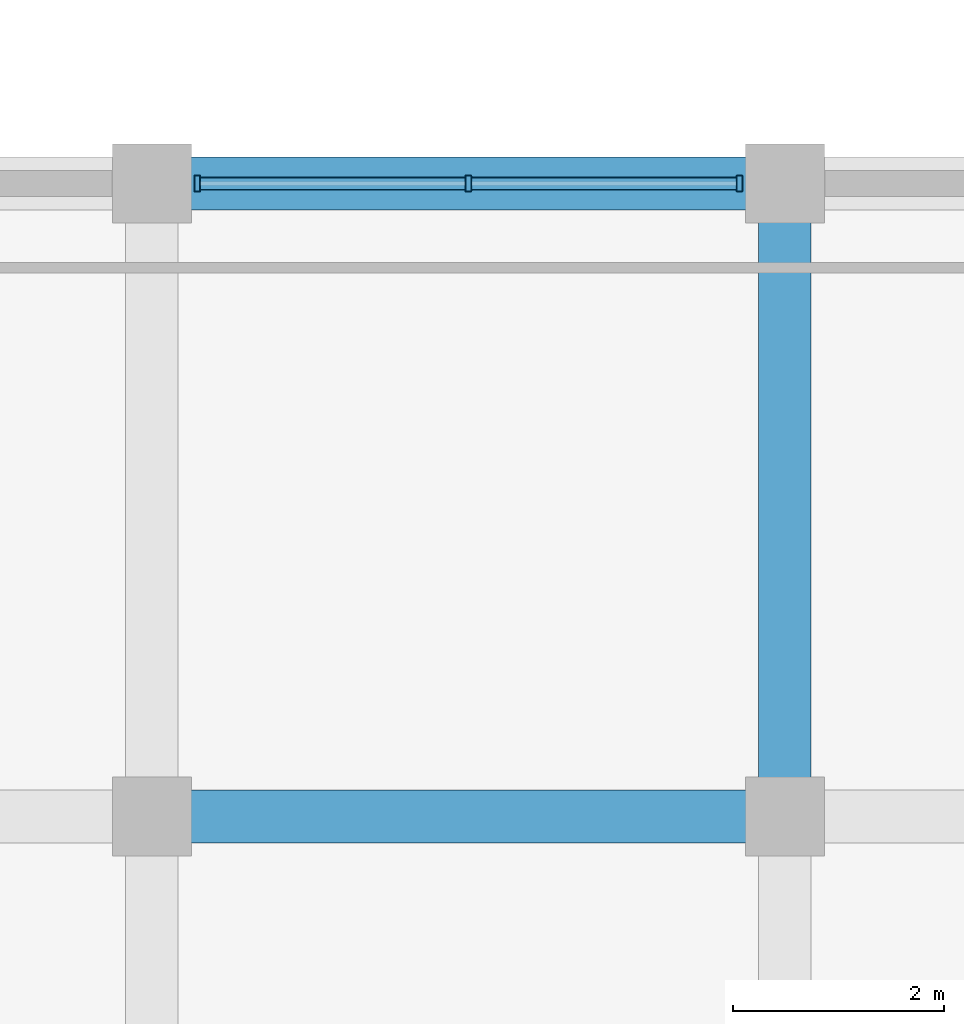
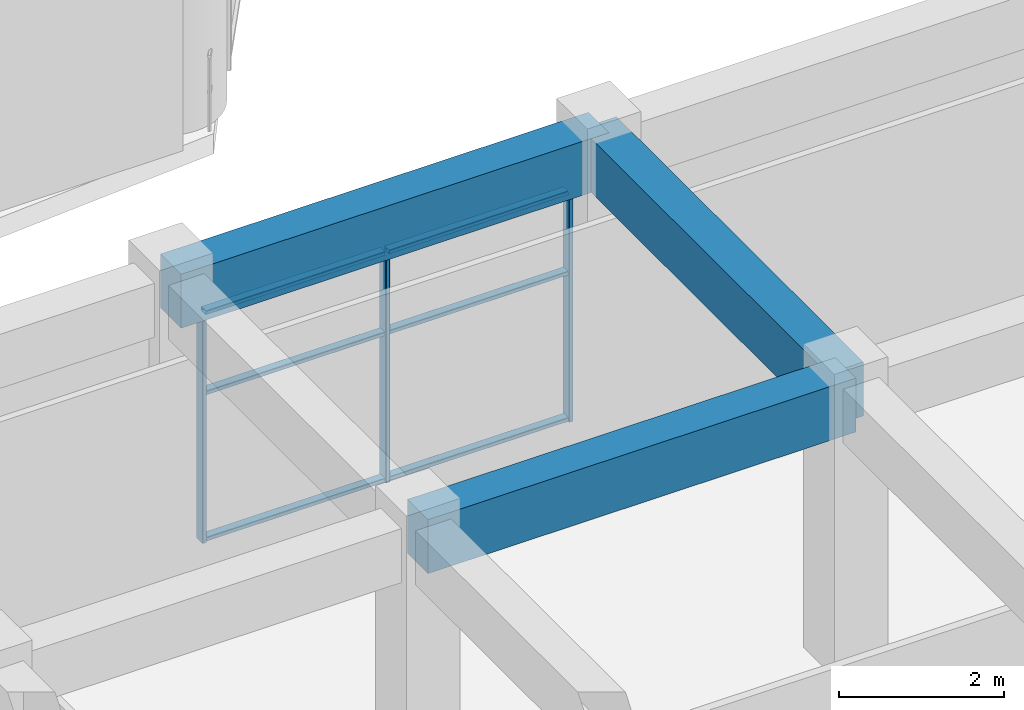
# One storey, part 17 of 55: 9 members, 3 beams, 1 element without a shape of its own.
"""IFC4 building model written with IfcOpenShell, lengths in metres."""

import ifcopenshell
import ifcopenshell.guid

model = None  # the IFC model being written
_history = None  # IfcOwnerHistory: only IFC2X3 demands one
_inside = {}  # id of a spatial element -> (the spatial element, [elements in it])
_under = {}  # id of a project, library or spatial element -> (it, [spatial elements below it])
_declared = {}  # id of a project -> (the project, [libraries it declares])
_typed = {}  # id of a type object -> (the type object, [elements of that type])
_made_of = {}  # id of a material, layer set ... -> (it, [elements and type objects made of it])


def new_model(schema):
    """Start an empty IFC model of exactly this schema.

    Asked for "IFC4X3", IfcOpenShell would pick the latest addendum, in which some entities
    have other attributes; the version numbers below select the first issue.
    IFC2X3 requires an IfcOwnerHistory on every rooted entity: one is made here for all.
    """
    global model, _history
    if schema == "IFC4X3":
        model = ifcopenshell.file(schema_version=(4, 3, 0, 0))
    else:
        model = ifcopenshell.file(schema=schema)
    _inside.clear()
    _under.clear()
    _declared.clear()
    _typed.clear()
    _made_of.clear()
    _history = None
    if model.schema == "IFC2X3":
        org = make("IfcOrganization", Name="unknown")
        user = make(
            "IfcPersonAndOrganization",
            ThePerson=make("IfcPerson", FamilyName="unknown"),
            TheOrganization=org,
        )
        app = make(
            "IfcApplication",
            ApplicationDeveloper=org,
            Version="unknown",
            ApplicationFullName="unknown",
            ApplicationIdentifier="unknown",
        )
        _history = make(
            "IfcOwnerHistory",
            OwningUser=user,
            OwningApplication=app,
            ChangeAction="ADDED",
            CreationDate=0,
        )
    return model


def make(cls, **values):
    """One entity of the class cls with the attributes given. An attribute that is None is left unset."""
    return model.create_entity(
        cls, **{name: value for name, value in values.items() if value is not None}
    )


def rooted(cls, **values):
    """An entity with a GlobalId (a new one), such as an element, a storey or a relation."""
    return make(cls, GlobalId=ifcopenshell.guid.new(), OwnerHistory=_history, **values)


def si_unit(unit_type, name, prefix=None):
    """IfcSIUnit, for example si_unit("LENGTHUNIT", "METRE", prefix="MILLI")."""
    return make("IfcSIUnit", UnitType=unit_type, Prefix=prefix, Name=name)


def assignment(units):
    """IfcUnitAssignment: the units of a project."""
    return None if units is None else make("IfcUnitAssignment", Units=units)


def point(xyz):
    """IfcCartesianPoint."""
    return None if xyz is None else make("IfcCartesianPoint", Coordinates=xyz)


def direction(xyz):
    """IfcDirection."""
    return None if xyz is None else make("IfcDirection", DirectionRatios=xyz)


def frame(location, z_axis=None, x_axis=None):
    """IfcAxis2Placement3D, a coordinate frame: its origin and axes. An axis left out is left unset."""
    return make(
        "IfcAxis2Placement3D",
        Location=point(location),
        Axis=direction(z_axis),
        RefDirection=direction(x_axis),
    )


def frame_2d(location, x_axis=None):
    """IfcAxis2Placement2D, a coordinate frame in the plane: its origin and x axis."""
    return make(
        "IfcAxis2Placement2D", Location=point(location), RefDirection=direction(x_axis)
    )


def origin():
    """The frame at (0, 0, 0) with its axes left unset."""
    return frame((0.0, 0.0, 0.0))


def origin_2d():
    """The frame at (0, 0) in the plane with its x axis left unset."""
    return frame_2d((0.0, 0.0))


def place(relative_to, where):
    """IfcLocalPlacement: puts the frame where relative to a parent placement (None: the world)."""
    return make(
        "IfcLocalPlacement", PlacementRelTo=relative_to, RelativePlacement=where
    )


def context(
    kind, dimensions, precision=None, world=None, true_north=None, identifier=None
):
    """IfcGeometricRepresentationContext, for example the 3D "Model" context."""
    return make(
        "IfcGeometricRepresentationContext",
        ContextIdentifier=identifier,
        ContextType=kind,
        CoordinateSpaceDimension=dimensions,
        Precision=precision,
        WorldCoordinateSystem=world,
        TrueNorth=true_north,
    )


def subcontext(parent, identifier, kind, view, scale=None):
    """IfcGeometricRepresentationSubContext, for example "Body" below "Model"."""
    return make(
        "IfcGeometricRepresentationSubContext",
        ContextIdentifier=identifier,
        ContextType=kind,
        ParentContext=parent,
        TargetScale=scale,
        TargetView=view,
    )


def project(units=None, contexts=None):
    """IfcProject with its units and contexts."""
    return rooted(
        "IfcProject",
        Name="project",
        RepresentationContexts=contexts,
        UnitsInContext=assignment(units),
    )


def spatial(cls, under=None, at=None, **own):
    """A site, building, storey or space (cls), placed at a placement, below another one or the project."""
    s = rooted(cls, ObjectPlacement=at, **own)
    if under is not None:
        _under.setdefault(under.id(), (under, []))[1].append(s)
    return s


def profile(cls, at=None, kind="AREA", **sizes):
    """A parametric profile (cls). Its sizes go by their IFC names, for example OverallWidth=200.0."""
    return make(cls, ProfileType=kind, Position=at, **sizes)


def rectangle(**sizes):
    """IfcRectangleProfileDef."""
    return profile("IfcRectangleProfileDef", **sizes)


def hollow_rectangle(**sizes):
    """IfcRectangleHollowProfileDef."""
    return profile("IfcRectangleHollowProfileDef", **sizes)


def extrude(swept, where, along, depth):
    """IfcExtrudedAreaSolid: the profile swept, set in the frame where, extruded along a direction by depth."""
    return make(
        "IfcExtrudedAreaSolid",
        SweptArea=swept,
        Position=where,
        ExtrudedDirection=direction(along),
        Depth=depth,
    )


def shape(context_of_items, identifier, shape_type, items):
    """IfcShapeRepresentation: the items that make up one representation, for example the "Body"."""
    return make(
        "IfcShapeRepresentation",
        ContextOfItems=context_of_items,
        RepresentationIdentifier=identifier,
        RepresentationType=shape_type,
        Items=items,
    )


def material(Name=None, Category=None):
    """IfcMaterial."""
    return make("IfcMaterial", Name=Name, Category=Category)


def layer(
    of_material, thickness, ventilated=None, Name=None, Category=None, Priority=None
):
    """IfcMaterialLayer: one layer of a wall or slab, of a material (None: an air gap)."""
    return make(
        "IfcMaterialLayer",
        Material=of_material,
        LayerThickness=thickness,
        IsVentilated=ventilated,
        Name=Name,
        Category=Category,
        Priority=Priority,
    )


def layer_set(layers, Name=None):
    """IfcMaterialLayerSet."""
    return make("IfcMaterialLayerSet", MaterialLayers=layers, LayerSetName=Name)


def material_profile(
    of_material, cross_section, Name=None, Category=None, Priority=None
):
    """IfcMaterialProfile: a cross section and its material."""
    return make(
        "IfcMaterialProfile",
        Name=Name,
        Material=of_material,
        Profile=cross_section,
        Priority=Priority,
        Category=Category,
    )


def profile_set(profiles, Name=None, composite=None):
    """IfcMaterialProfileSet."""
    return make(
        "IfcMaterialProfileSet",
        Name=Name,
        MaterialProfiles=profiles,
        CompositeProfile=composite,
    )


def made_of(thing, what):
    """Note that an element or type object is made of a material, layer set ...; save() writes the relation."""
    if what is not None:
        _made_of.setdefault(what.id(), (what, []))[1].append(thing)
    return thing


def type_object(cls, material=None, **own):
    """A type object (cls), such as IfcWallType, which elements share."""
    return made_of(rooted(cls, **own), material)


def element(
    cls,
    number,
    at=None,
    inside=None,
    cuts=None,
    type_object=None,
    material=None,
    context=None,
    identifier="Body",
    shape_type=None,
    held_by="IfcProductDefinitionShape",
    body=None,
    shapes=None,
    **own,
):
    """One element of the class cls, such as IfcWall. Its Tag is "e" and its number.

    at: its placement. inside: the storey or other place that contains it. cuts: it is an
    opening in that element (IfcRelVoidsElement). A single representation is given by context,
    identifier, shape_type and body (its items); several are given by shapes. held_by: the class
    of the entity that holds the representations. save() writes the other relations.
    """
    e = rooted(cls, Tag="e%d" % number, ObjectPlacement=at, **own)
    if body is not None:
        shapes = [shape(context, identifier, shape_type, body)]
    if shapes is not None:
        e.Representation = make(held_by, Representations=shapes)
    if inside is not None:
        _inside.setdefault(inside.id(), (inside, []))[1].append(e)
    if cuts is not None:
        rooted(
            "IfcRelVoidsElement", RelatingBuildingElement=cuts, RelatedOpeningElement=e
        )
    if type_object is not None:
        _typed.setdefault(type_object.id(), (type_object, []))[1].append(e)
    return made_of(e, material)


def aggregate(whole, parts):
    """IfcRelAggregates: a whole, such as a stair, and the parts it consists of."""
    return rooted("IfcRelAggregates", RelatingObject=whole, RelatedObjects=parts)


def save(model, path):
    """Write the relations noted so far, then the file.

    IfcRelAggregates (storeys below a building ...), IfcRelContainedInSpatialStructure (elements
    in a storey), IfcRelDefinesByType, IfcRelAssociatesMaterial and IfcRelDeclares: one each for
    every whole, place, type object, material and project.
    """
    for whole, parts in _under.values():
        aggregate(whole, parts)
    for where, things in _inside.values():
        rooted(
            "IfcRelContainedInSpatialStructure",
            RelatedElements=things,
            RelatingStructure=where,
        )
    for kind, things in _typed.values():
        rooted("IfcRelDefinesByType", RelatedObjects=things, RelatingType=kind)
    for what, things in _made_of.values():
        rooted("IfcRelAssociatesMaterial", RelatedObjects=things, RelatingMaterial=what)
    for by, libraries in _declared.values():
        rooted("IfcRelDeclares", RelatingContext=by, RelatedDefinitions=libraries)
    model.write(path)


model = new_model("IFC4")

# Units and contexts
model_context = context("Model", 3, precision=1e-05, world=origin(), true_north=direction((0.0, 1.0)))
body_context = subcontext(model_context, "Body", "Model", "MODEL_VIEW")
ifc_project = project(units=[si_unit("LENGTHUNIT", "METRE"), si_unit("AREAUNIT", "SQUARE_METRE"), si_unit("VOLUMEUNIT", "CUBIC_METRE"), si_unit("PLANEANGLEUNIT", "RADIAN"), si_unit("MASSUNIT", "GRAM", prefix="KILO")], contexts=[model_context])

# Site, building, storey
site_placement = place(None, origin())
site = spatial("IfcSite", under=ifc_project, at=site_placement, CompositionType="ELEMENT")
building_placement = place(site_placement, origin())
building = spatial("IfcBuilding", under=site, at=building_placement, Name="Kelanora Arch Commons", CompositionType="ELEMENT")
storey_placement = place(building_placement, frame((0.0, 0.0, 4.5)))
storey = spatial("IfcBuildingStorey", under=building, at=storey_placement, Name="L01", CompositionType="ELEMENT", Elevation=4.5)

# Beams
ifc_material_1 = material(Name="Concrete C40/50", Category="concrete")
ifc_material_profile_1 = material_profile(ifc_material_1, rectangle(XDim=0.5, YDim=0.800048828125, at=origin_2d()), Name="RCB500x800")
ifc_profile_set_1 = profile_set([ifc_material_profile_1], Name="Concrete C40/50")
beam_type = type_object("IfcBeamType", Name="BM-MKT-RC1", PredefinedType="BEAM", material=ifc_profile_set_1)
for number, where, z_axis, x_axis, name in (
    (1, (74.0, 20.0, 3.840087890625), (1.0, 0.0, 0.0), (0.0, 1.0, 0.0), "Market/Basement Frame Beam 126 L01"),
    (2, (74.0, 26.0, 3.840087890625), (1.0, 0.0, 0.0), (0.0, 1.0, 0.0), "Market/Basement Frame Beam 128 L01"),
    (3, (80.0, 20.0, 3.840087890625), (0.0, 1.0, 0.0), (-1.0, 0.0, 0.0), "Market/Basement Frame Beam 134 L01"),
):
    element("IfcBeam", number, at=place(storey_placement, frame(where, z_axis=z_axis, x_axis=x_axis)), inside=storey, type_object=beam_type, Name=name, PredefinedType="BEAM", context=body_context, shape_type="SweptSolid", body=[
        extrude(rectangle(XDim=0.5, YDim=0.800048828125, at=origin_2d()), origin(), (0.0, 0.0, 1.0), 6.0),
    ])

# Curtain wall, members
ifc_material_2 = material(Name="Terracotta ceramic-fritted low-E glass and aluminium", Category="masonry")
ifc_layer = layer(ifc_material_2, 0.16796875)
ifc_layer_set = layer_set([ifc_layer], Name="Terracotta ceramic-fritted low-E glass and aluminium")
curtain_wall_type = type_object("IfcCurtainWallType", Name="CW-SYS-07", PredefinedType="NOTDEFINED", material=ifc_layer_set)
curtain_wall_placement = place(storey_placement, origin())
curtain_wall = element("IfcCurtainWall", 4, at=curtain_wall_placement, inside=storey, type_object=curtain_wall_type, Name="Market Hall Arcade Curtain Wall L01-17", PredefinedType="NOTDEFINED")
ifc_material_3 = material(Name="Powder-coated aluminium terracotta", Category="masonry")
ifc_material_profile_2 = material_profile(ifc_material_3, hollow_rectangle(XDim=0.159912109375, YDim=0.06005859375, WallThickness=0.0048828125, InnerFilletRadius=0.0048828125, OuterFilletRadius=0.010009765625, at=origin_2d()), Name="CWM160x60")
ifc_profile_set_2 = profile_set([ifc_material_profile_2], Name="Powder-coated aluminium terracotta")
member_type_1 = type_object("IfcMemberType", Name="CWM-STD", PredefinedType="MULLION", material=ifc_profile_set_2)
member_1_placement = place(storey_placement, frame((79.570068359375, 26.0, 0.0), z_axis=(0.0, 0.0, 1.0), x_axis=(0.0, -1.0, 0.0)))
member_1 = element("IfcMember", 5, at=member_1_placement, type_object=member_type_1, Name="CW-07 mullion 1", PredefinedType="MULLION", context=body_context, shape_type="SweptSolid", body=[
    extrude(hollow_rectangle(XDim=0.159912109375, YDim=0.06005859375, WallThickness=0.0048828125, InnerFilletRadius=0.0048828125, OuterFilletRadius=0.010009765625, at=origin_2d()), origin(), (0.0, 0.0, 1.0), 3.419921875),
])
member_2_placement = place(storey_placement, frame((77.0, 26.0, 0.0), z_axis=(0.0, 0.0, 1.0), x_axis=(0.0, -1.0, 0.0)))
member_2 = element("IfcMember", 6, at=member_2_placement, type_object=member_type_1, Name="CW-07 mullion 2", PredefinedType="MULLION", context=body_context, shape_type="SweptSolid", body=[
    extrude(hollow_rectangle(XDim=0.159912109375, YDim=0.06005859375, WallThickness=0.0048828125, InnerFilletRadius=0.0048828125, OuterFilletRadius=0.010009765625, at=origin_2d()), origin(), (0.0, 0.0, 1.0), 3.419921875),
])
member_3_placement = place(storey_placement, frame((74.429931640625, 26.0, 0.0), z_axis=(0.0, 0.0, 1.0), x_axis=(0.0, -1.0, 0.0)))
member_3 = element("IfcMember", 7, at=member_3_placement, type_object=member_type_1, Name="CW-07 mullion 3", PredefinedType="MULLION", context=body_context, shape_type="SweptSolid", body=[
    extrude(hollow_rectangle(XDim=0.159912109375, YDim=0.06005859375, WallThickness=0.0048828125, InnerFilletRadius=0.0048828125, OuterFilletRadius=0.010009765625, at=origin_2d()), origin(), (0.0, 0.0, 1.0), 3.419921875),
])
ifc_material_profile_3 = material_profile(ifc_material_3, hollow_rectangle(XDim=0.1201171875, YDim=0.06005859375, WallThickness=0.0048828125, InnerFilletRadius=0.0048828125, OuterFilletRadius=0.010009765625, at=origin_2d()), Name="CWT120x60")
ifc_profile_set_3 = profile_set([ifc_material_profile_3], Name="Powder-coated aluminium terracotta")
member_type_2 = type_object("IfcMemberType", Name="CWT-STD", PredefinedType="USERDEFINED", material=ifc_profile_set_3)
member_4_placement = place(storey_placement, frame((79.5400390625, 26.0, 0.030029296875), z_axis=(-1.0, 0.0, 0.0), x_axis=(0.0, -1.0, 0.0)))
member_4 = element("IfcMember", 8, at=member_4_placement, type_object=member_type_2, Name="CW-07 transom 1.1", ObjectType="TRANSOM", PredefinedType="USERDEFINED", context=body_context, shape_type="SweptSolid", body=[
    extrude(hollow_rectangle(XDim=0.1201171875, YDim=0.06005859375, WallThickness=0.0048828125, InnerFilletRadius=0.0048828125, OuterFilletRadius=0.010009765625, at=origin_2d()), origin(), (0.0, 0.0, 1.0), 2.510009765625),
])
member_5_placement = place(storey_placement, frame((79.5400390625, 26.0, 2.199951171875), z_axis=(-1.0, 0.0, 0.0), x_axis=(0.0, -1.0, 0.0)))
member_5 = element("IfcMember", 9, at=member_5_placement, type_object=member_type_2, Name="CW-07 transom 1.2", ObjectType="TRANSOM", PredefinedType="USERDEFINED", context=body_context, shape_type="SweptSolid", body=[
    extrude(hollow_rectangle(XDim=0.1201171875, YDim=0.06005859375, WallThickness=0.0048828125, InnerFilletRadius=0.0048828125, OuterFilletRadius=0.010009765625, at=origin_2d()), origin(), (0.0, 0.0, 1.0), 2.510009765625),
])
member_6_placement = place(storey_placement, frame((79.5400390625, 26.0, 3.389892578125), z_axis=(-1.0, 0.0, 0.0), x_axis=(0.0, -1.0, 0.0)))
member_6 = element("IfcMember", 10, at=member_6_placement, type_object=member_type_2, Name="CW-07 transom 1.3", ObjectType="TRANSOM", PredefinedType="USERDEFINED", context=body_context, shape_type="SweptSolid", body=[
    extrude(hollow_rectangle(XDim=0.1201171875, YDim=0.06005859375, WallThickness=0.0048828125, InnerFilletRadius=0.0048828125, OuterFilletRadius=0.010009765625, at=origin_2d()), origin(), (0.0, 0.0, 1.0), 2.510009765625),
])
member_7_placement = place(storey_placement, frame((76.969970703125, 26.0, 0.030029296875), z_axis=(-1.0, 0.0, 0.0), x_axis=(0.0, -1.0, 0.0)))
member_7 = element("IfcMember", 11, at=member_7_placement, type_object=member_type_2, Name="CW-07 transom 2.1", ObjectType="TRANSOM", PredefinedType="USERDEFINED", context=body_context, shape_type="SweptSolid", body=[
    extrude(hollow_rectangle(XDim=0.1201171875, YDim=0.06005859375, WallThickness=0.0048828125, InnerFilletRadius=0.0048828125, OuterFilletRadius=0.010009765625, at=origin_2d()), origin(), (0.0, 0.0, 1.0), 2.510009765625),
])
member_8_placement = place(storey_placement, frame((76.969970703125, 26.0, 2.199951171875), z_axis=(-1.0, 0.0, 0.0), x_axis=(0.0, -1.0, 0.0)))
member_8 = element("IfcMember", 12, at=member_8_placement, type_object=member_type_2, Name="CW-07 transom 2.2", ObjectType="TRANSOM", PredefinedType="USERDEFINED", context=body_context, shape_type="SweptSolid", body=[
    extrude(hollow_rectangle(XDim=0.1201171875, YDim=0.06005859375, WallThickness=0.0048828125, InnerFilletRadius=0.0048828125, OuterFilletRadius=0.010009765625, at=origin_2d()), origin(), (0.0, 0.0, 1.0), 2.510009765625),
])
member_9_placement = place(storey_placement, frame((76.969970703125, 26.0, 3.389892578125), z_axis=(-1.0, 0.0, 0.0), x_axis=(0.0, -1.0, 0.0)))
member_9 = element("IfcMember", 13, at=member_9_placement, type_object=member_type_2, Name="CW-07 transom 2.3", ObjectType="TRANSOM", PredefinedType="USERDEFINED", context=body_context, shape_type="SweptSolid", body=[
    extrude(hollow_rectangle(XDim=0.1201171875, YDim=0.06005859375, WallThickness=0.0048828125, InnerFilletRadius=0.0048828125, OuterFilletRadius=0.010009765625, at=origin_2d()), origin(), (0.0, 0.0, 1.0), 2.510009765625),
])
aggregate(curtain_wall, [member_1, member_2, member_3, member_4, member_5, member_6, member_7, member_8, member_9])

save(model, "model.ifc")
